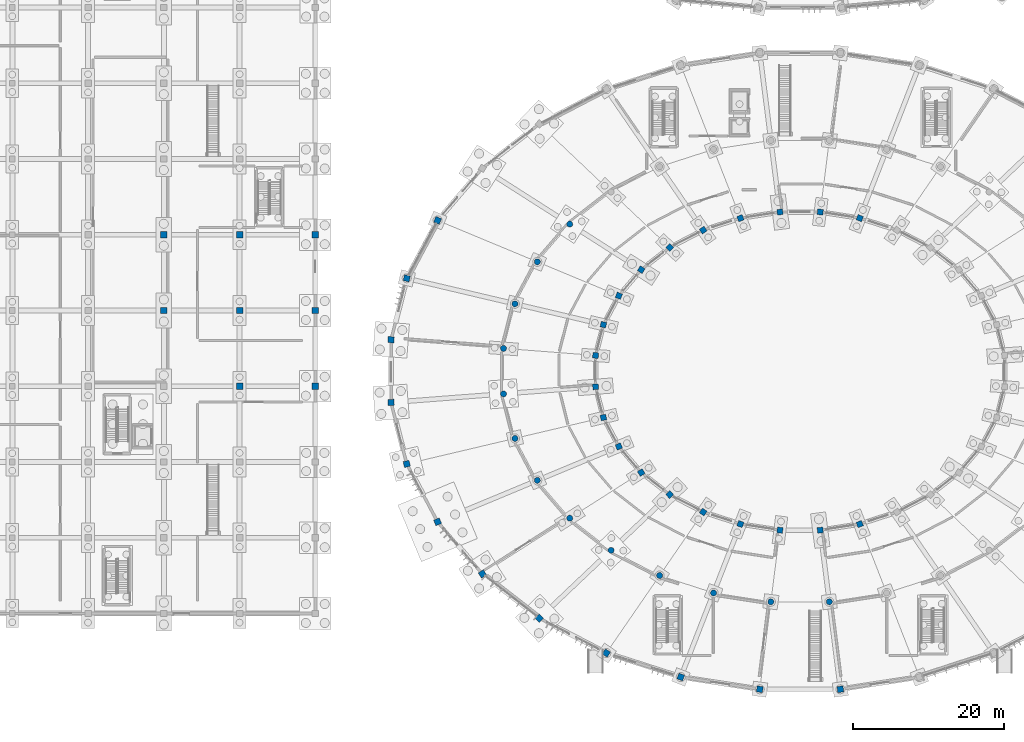
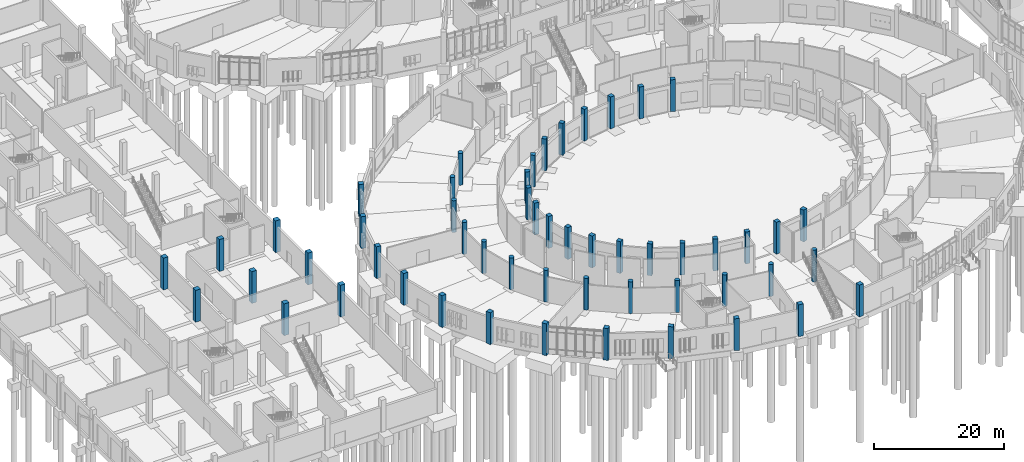
# One storey, part 17 of 140: 53 columns.
"""IFC4 building model written with IfcOpenShell, lengths in metres."""

from ifc_helpers import new_model, si_unit, direction, frame, origin, origin_2d, place, context, subcontext, project, spatial, rectangle, circle, extrude, material, material_profile, profile_set, type_object, element, save


model = new_model("IFC4")

# Units and contexts
model_context = context("Model", 3, precision=1e-05, world=origin(), true_north=direction((0.0, 1.0)))
body_context = subcontext(model_context, "Body", "Model", "MODEL_VIEW")
ifc_project = project(units=[si_unit("LENGTHUNIT", "METRE"), si_unit("AREAUNIT", "SQUARE_METRE"), si_unit("VOLUMEUNIT", "CUBIC_METRE"), si_unit("PLANEANGLEUNIT", "RADIAN"), si_unit("MASSUNIT", "GRAM", prefix="KILO")], contexts=[model_context])

# Site, building, storey
site_placement = place(None, origin())
site = spatial("IfcSite", under=ifc_project, at=site_placement, CompositionType="ELEMENT")
building_placement = place(site_placement, origin())
building = spatial("IfcBuilding", under=site, at=building_placement, Name="Corvandel Quay Wholesale Market", CompositionType="ELEMENT")
storey_placement = place(building_placement, origin())
storey = spatial("IfcBuildingStorey", under=building, at=storey_placement, Name="L00", CompositionType="ELEMENT", Elevation=0.0)

# Columns
ifc_material = material(Name="Precast concrete C45/55", Category="concrete")
ifc_material_profile_1 = material_profile(ifc_material, circle(Radius=0.39990234375, at=origin_2d()), Name="PC-COL-D800")
ifc_profile_set_1 = profile_set([ifc_material_profile_1], Name="Precast concrete C45/55")
column_type_1 = type_object("IfcColumnType", Name="Circular Hall Column C10 D800", PredefinedType="COLUMN", material=ifc_profile_set_1)
for number, where, z_axis, x_axis, name in (
    (1, (83.590087890625, 61.410888671875, 0.0), (0.0, 0.0, 1.0), (1.0, 0.0, 0.0), "Column COL-0124"),
    (2, (79.305908203125, 56.423095703125, 0.0), (0.0, 0.0, 1.0), (1.0, 0.0, 0.0), "Column COL-0134"),
    (3, (76.35498046875, 50.882080078125, 0.0), (0.0, 0.0, 1.0), (1.0, 0.0, 0.0), "Column COL-0144"),
    (4, (74.85009765625, 44.9990234375, 0.0), (0.0, 0.0, 1.0), (1.0, 0.0, 0.0), "Column COL-0154"),
    (5, (74.85009765625, 39.0009765625, 0.0), (0.0, 0.0, 1.0), (1.0, 0.0, 0.0), "Column COL-0164"),
    (6, (76.35498046875, 33.117919921875, 0.0), (0.0, 0.0, 1.0), (1.0, 0.0, 0.0), "Column COL-0174"),
    (7, (79.305908203125, 27.576904296875, 0.0), (0.0, 0.0, 1.0), (1.0, 0.0, 0.0), "Column COL-0184"),
    (8, (83.590087890625, 22.589111328125, 0.0), (0.0, 0.0, 1.0), (1.0, 0.0, 0.0), "Column COL-0194"),
    (9, (89.04296875, 18.347900390625, 0.0), (0.0, 0.0, 1.0), (1.0, 0.0, 0.0), "Column COL-0204"),
    (10, (95.4560546875, 15.01611328125, 0.0), (0.0, 0.0, 1.0), (1.0, 0.0, 0.0), "Column COL-0214"),
    (11, (102.580078125, 12.719970703125, 0.0), (0.0, 0.0, 1.0), (1.0, 0.0, 0.0), "Column COL-0224"),
    (12, (110.14404296875, 11.550048828125, 0.0), (0.0, 0.0, 1.0), (1.0, 0.0, 0.0), "Column COL-0234"),
    (13, (117.85595703125, 11.550048828125, 0.0), (0.0, 0.0, 1.0), (1.0, 0.0, 0.0), "Column COL-0244"),
):
    element("IfcColumn", number, at=place(storey_placement, frame(where, z_axis=z_axis, x_axis=x_axis)), inside=storey, type_object=column_type_1, Name=name, PredefinedType="COLUMN", context=body_context, shape_type="SweptSolid", body=[
        extrude(circle(Radius=0.39990234375, at=origin_2d()), origin(), (0.0, 0.0, 1.0), 6.0),
    ])
ifc_material_profile_2 = material_profile(ifc_material, rectangle(XDim=0.85009765625, YDim=0.85009765625, at=origin_2d()), Name="PC-COL-850x850")
ifc_profile_set_2 = profile_set([ifc_material_profile_2], Name="Precast concrete C45/55")
column_type_2 = type_object("IfcColumnType", Name="Precast Column C01 850x850", PredefinedType="COLUMN", material=ifc_profile_set_2)
for number, where, z_axis, x_axis, name in (
    (14, (30.0, 50.0, 0.0), (0.0, 0.0, 1.0), (1.0, 0.0, 0.0), "Column COL-0663"),
    (15, (30.0, 60.0, 0.0), (0.0, 0.0, 1.0), (1.0, 0.0, 0.0), "Column COL-0666"),
    (16, (40.0, 40.0, 0.0), (0.0, 0.0, 1.0), (1.0, 0.0, 0.0), "Column COL-0700"),
    (17, (40.0, 50.0, 0.0), (0.0, 0.0, 1.0), (1.0, 0.0, 0.0), "Column COL-0703"),
    (18, (40.0, 60.0, 0.0), (0.0, 0.0, 1.0), (1.0, 0.0, 0.0), "Column COL-0706"),
    (19, (50.0, 40.0, 0.0), (0.0, 0.0, 1.0), (1.0, 0.0, 0.0), "Column COL-0740"),
    (20, (50.0, 50.0, 0.0), (0.0, 0.0, 1.0), (1.0, 0.0, 0.0), "Column COL-0743"),
    (21, (50.0, 60.0, 0.0), (0.0, 0.0, 1.0), (1.0, 0.0, 0.0), "Column COL-0746"),
):
    element("IfcColumn", number, at=place(storey_placement, frame(where, z_axis=z_axis, x_axis=x_axis)), inside=storey, type_object=column_type_2, Name=name, PredefinedType="COLUMN", context=body_context, shape_type="SweptSolid", body=[
        extrude(rectangle(XDim=0.85009765625, YDim=0.85009765625, at=origin_2d()), origin(), (0.0, 0.0, 1.0), 6.0),
    ])
ifc_material_profile_3 = material_profile(ifc_material, rectangle(XDim=0.800048828125, YDim=0.800048828125, at=origin_2d()), Name="PC-COL-800x800")
ifc_profile_set_3 = profile_set([ifc_material_profile_3], Name="Precast concrete C45/55")
column_type_3 = type_object("IfcColumnType", Name="Precast Column C02 800x800", PredefinedType="COLUMN", material=ifc_profile_set_3)
for number, where, z_axis, x_axis, name in (
    (22, (66.14599609375, 61.89404296875, 0.0), (0.0, 0.0, 1.0), (0.383811878264, 0.923411307113, 0.0), "Column COL-0131"),
    (23, (62.074951171875, 54.2509765625, 0.0), (0.0, 0.0, 1.0), (0.229710019669, 0.973259115993, 0.0), "Column COL-0141"),
    (24, (60.0, 46.136962890625, 0.0), (0.0, 0.0, 1.0), (0.076370986393, 0.997079471475, 0.0), "Column COL-0151"),
    (25, (60.0, 37.863037109375, 0.0), (0.0, 0.0, 1.0), (-0.076370986393, 0.997079471475, 0.0), "Column COL-0161"),
    (26, (62.074951171875, 29.7490234375, 0.0), (0.0, 0.0, 1.0), (-0.229710019669, 0.973259115993, 0.0), "Column COL-0171"),
    (27, (66.14599609375, 22.10595703125, 0.0), (0.0, 0.0, 1.0), (-0.383811878264, 0.923411307113, 0.0), "Column COL-0181"),
    (28, (72.054931640625, 15.22705078125, 0.0), (0.0, 0.0, 1.0), (-0.538035401546, 0.842922242371, 0.0), "Column COL-0191"),
    (29, (79.576904296875, 9.3759765625, 0.0), (0.0, 0.0, 1.0), (-0.687848001144, 0.725854756355, 0.0), "Column COL-0201"),
    (30, (88.4208984375, 4.780029296875, 0.0), (0.0, 0.0, 1.0), (-0.824126188622, 0.566406236925, 0.0), "Column COL-0211"),
    (31, (98.2490234375, 1.614013671875, 0.0), (0.0, 0.0, 1.0), (-0.931627814096, 0.363413835735, 0.0), "Column COL-0221"),
    (32, (108.680908203125, 0.0, 0.0), (0.0, 0.0, 1.0), (-0.992070891321, 0.125679539283, 0.0), "Column COL-0231"),
    (33, (119.319091796875, 0.0, 0.0), (0.0, 0.0, 1.0), (0.992070891321, 0.125679539283, 0.0), "Column COL-0241"),
):
    element("IfcColumn", number, at=place(storey_placement, frame(where, z_axis=z_axis, x_axis=x_axis)), inside=storey, type_object=column_type_3, Name=name, PredefinedType="COLUMN", context=body_context, shape_type="SweptSolid", body=[
        extrude(rectangle(XDim=0.800048828125, YDim=0.800048828125, at=origin_2d()), origin(), (0.0, 0.0, 1.0), 6.0),
    ])
ifc_material_profile_4 = material_profile(ifc_material, rectangle(XDim=0.75, YDim=0.75, at=origin_2d()), Name="PC-COL-750x750")
ifc_profile_set_4 = profile_set([ifc_material_profile_4], Name="Precast concrete C45/55")
column_type_4 = type_object("IfcColumnType", Name="Precast Column C03 750x750", PredefinedType="COLUMN", material=ifc_profile_set_4)
for number, where, z_axis, x_axis, name in (
    (34, (121.8759765625, 62.193115234375, 0.0), (0.0, 0.0, 1.0), (-0.931627814096, 0.363413835735, 0.0), "Column COL-0068"),
    (35, (116.658935546875, 63.0, 0.0), (0.0, 0.0, 1.0), (-0.992070891321, 0.125679539283, 0.0), "Column COL-0078"),
    (36, (111.341064453125, 63.0, 0.0), (0.0, 0.0, 1.0), (0.992070891321, 0.125679539283, 0.0), "Column COL-0088"),
    (37, (106.1240234375, 62.193115234375, 0.0), (0.0, 0.0, 1.0), (0.931627814096, 0.363413835735, 0.0), "Column COL-0098"),
    (38, (101.2109375, 60.610107421875, 0.0), (0.0, 0.0, 1.0), (0.824126188622, 0.566406236925, 0.0), "Column COL-0108"),
    (39, (96.7890625, 58.31201171875, 0.0), (0.0, 0.0, 1.0), (0.687848001144, 0.725854756355, 0.0), "Column COL-0118"),
    (40, (93.028076171875, 55.386962890625, 0.0), (0.0, 0.0, 1.0), (0.538035401546, 0.842922242371, 0.0), "Column COL-0128"),
    (41, (90.072998046875, 51.947021484375, 0.0), (0.0, 0.0, 1.0), (0.383811878264, 0.923411307113, 0.0), "Column COL-0138"),
    (42, (88.0380859375, 48.125, 0.0), (0.0, 0.0, 1.0), (0.229710019669, 0.973259115993, 0.0), "Column COL-0148"),
    (43, (87.0, 44.068115234375, 0.0), (0.0, 0.0, 1.0), (0.076370986393, 0.997079471475, 0.0), "Column COL-0158"),
    (44, (87.0, 39.931884765625, 0.0), (0.0, 0.0, 1.0), (-0.076370986393, 0.997079471475, 0.0), "Column COL-0168"),
    (45, (88.0380859375, 35.875, 0.0), (0.0, 0.0, 1.0), (-0.229710019669, 0.973259115993, 0.0), "Column COL-0178"),
    (46, (90.072998046875, 32.052978515625, 0.0), (0.0, 0.0, 1.0), (-0.383811878264, 0.923411307113, 0.0), "Column COL-0188"),
    (47, (93.028076171875, 28.613037109375, 0.0), (0.0, 0.0, 1.0), (-0.538035401546, 0.842922242371, 0.0), "Column COL-0198"),
    (48, (96.7890625, 25.68798828125, 0.0), (0.0, 0.0, 1.0), (-0.687848001144, 0.725854756355, 0.0), "Column COL-0208"),
    (49, (101.2109375, 23.389892578125, 0.0), (0.0, 0.0, 1.0), (-0.824126188622, 0.566406236925, 0.0), "Column COL-0218"),
    (50, (106.1240234375, 21.806884765625, 0.0), (0.0, 0.0, 1.0), (-0.931627814096, 0.363413835735, 0.0), "Column COL-0228"),
    (51, (111.341064453125, 21.0, 0.0), (0.0, 0.0, 1.0), (-0.992070891321, 0.125679539283, 0.0), "Column COL-0238"),
    (52, (116.658935546875, 21.0, 0.0), (0.0, 0.0, 1.0), (0.992070891321, 0.125679539283, 0.0), "Column COL-0248"),
    (53, (121.8759765625, 21.806884765625, 0.0), (0.0, 0.0, 1.0), (0.931627814096, 0.363413835735, 0.0), "Column COL-0258"),
):
    element("IfcColumn", number, at=place(storey_placement, frame(where, z_axis=z_axis, x_axis=x_axis)), inside=storey, type_object=column_type_4, Name=name, PredefinedType="COLUMN", context=body_context, shape_type="SweptSolid", body=[
        extrude(rectangle(XDim=0.75, YDim=0.75, at=origin_2d()), origin(), (0.0, 0.0, 1.0), 6.0),
    ])

save(model, "model.ifc")
